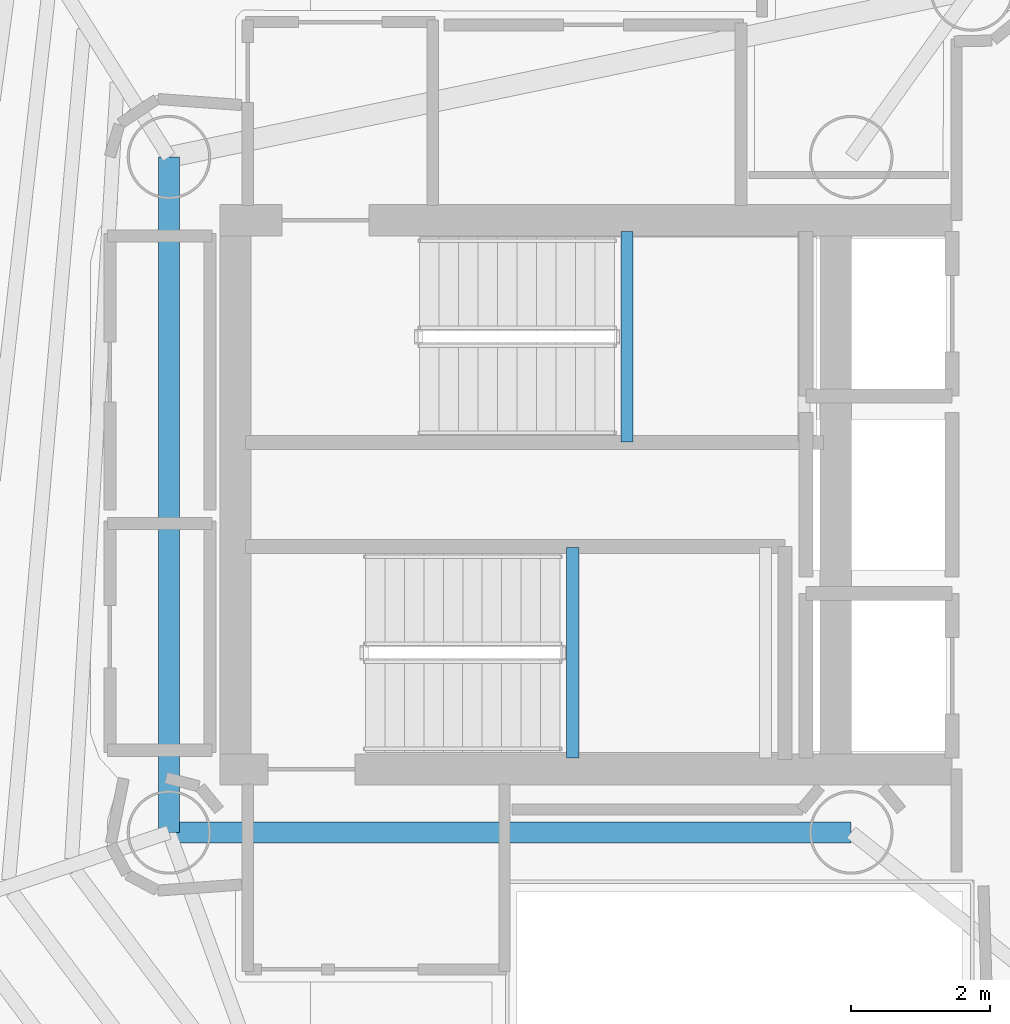
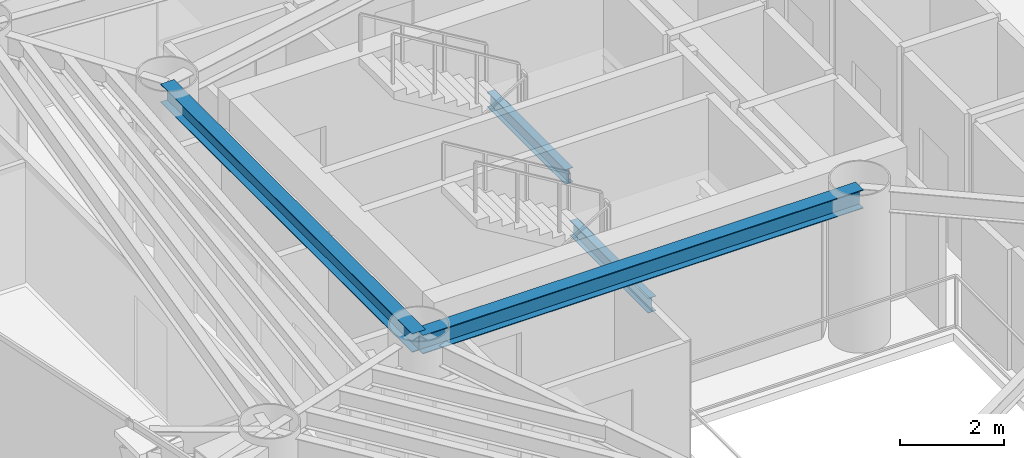
# One storey, part 9 of 22: 4 beams.
"""IFC4 building model written with IfcOpenShell, lengths in metres."""

from ifc_helpers import new_model, si_unit, direction, frame, origin, origin_2d, place, context, subcontext, project, spatial, i_section, extrude, material, material_profile, profile_set, type_object, element, save


model = new_model("IFC4")

# Units and contexts
model_context = context("Model", 3, precision=1e-05, world=origin(), true_north=direction((0.0, 1.0)))
body_context = subcontext(model_context, "Body", "Model", "MODEL_VIEW")
ifc_project = project(units=[si_unit("LENGTHUNIT", "METRE"), si_unit("AREAUNIT", "SQUARE_METRE"), si_unit("VOLUMEUNIT", "CUBIC_METRE"), si_unit("PLANEANGLEUNIT", "RADIAN"), si_unit("MASSUNIT", "GRAM", prefix="KILO")], contexts=[model_context])

# Site, building, storey
site_placement = place(None, origin())
site = spatial("IfcSite", under=ifc_project, at=site_placement, CompositionType="ELEMENT")
building_placement = place(site_placement, origin())
building = spatial("IfcBuilding", under=site, at=building_placement, Name="Qianvela Tower", CompositionType="ELEMENT")
storey_placement = place(building_placement, frame((0.0, 0.0, 204.0)))
storey = spatial("IfcBuildingStorey", under=building, at=storey_placement, Name="L52", CompositionType="ELEMENT", Elevation=204.0)

# Beams
ifc_material_1 = material(Name="Steel Q355B", Category="steel")
ifc_material_profile_1 = material_profile(ifc_material_1, i_section(OverallWidth=0.300048828125, OverallDepth=0.43994140625, WebThickness=0.010986328125, FlangeThickness=0.01806640625, at=origin_2d()), Name="HM440x300x11x18")
ifc_profile_set_1 = profile_set([ifc_material_profile_1], Name="Steel Q355B")
beam_type_1 = type_object("IfcBeamType", Name="BM-HM440-COLL", PredefinedType="BEAM", material=ifc_profile_set_1)
beam_1_placement = place(storey_placement, frame((28.60009765625, 23.85009765625, 3.298095703125), z_axis=(1.0, 0.0, 0.0), x_axis=(0.0, 1.0, 0.0)))
element("IfcBeam", 1, at=beam_1_placement, inside=storey, type_object=beam_type_1, Name="L52 Core Ring Collector Girder CC1", PredefinedType="BEAM", context=body_context, shape_type="SweptSolid", body=[
    extrude(i_section(OverallWidth=0.300048828125, OverallDepth=0.43994140625, WebThickness=0.010986328125, FlangeThickness=0.01806640625, at=origin_2d()), origin(), (0.0, 0.0, 1.0), 9.7998046875),
])
beam_2_placement = place(storey_placement, frame((28.60009765625, 33.550048828125, 3.298095703125), z_axis=(0.0, -1.0, 0.0), x_axis=(1.0, 0.0, 0.0)))
element("IfcBeam", 2, at=beam_2_placement, inside=storey, type_object=beam_type_1, Name="L52 Core Ring Collector Girder CC2", PredefinedType="BEAM", context=body_context, shape_type="SweptSolid", body=[
    extrude(i_section(OverallWidth=0.300048828125, OverallDepth=0.43994140625, WebThickness=0.010986328125, FlangeThickness=0.01806640625, at=origin_2d()), origin(), (0.0, 0.0, 1.0), 9.699951171875),
])
ifc_material_2 = material(Name="Steel Q355B", Category="steel")
ifc_material_profile_2 = material_profile(ifc_material_2, i_section(OverallWidth=0.175048828125, OverallDepth=0.35009765625, WebThickness=0.007080078125, FlangeThickness=0.010986328125, at=origin_2d()), Name="HN350x175x7x11")
ifc_profile_set_2 = profile_set([ifc_material_profile_2], Name="Steel Q355B")
beam_type_2 = type_object("IfcBeamType", Name="BM-HN350-JOIST", PredefinedType="JOIST", material=ifc_profile_set_2)
for number, where, z_axis, x_axis, name in (
    (3, (35.179931640625, 29.4599609375, 1.47509765625), (0.0, 1.0, 0.0), (-1.0, 0.0, 0.0), "L52 Stair ST-1 Landing Support Beam 1.1"),
    (4, (34.39990234375, 24.919921875, 1.47509765625), (0.0, 1.0, 0.0), (-1.0, 0.0, 0.0), "L52 Stair ST-2 Landing Support Beam 1.1"),
):
    element("IfcBeam", number, at=place(storey_placement, frame(where, z_axis=z_axis, x_axis=x_axis)), inside=storey, type_object=beam_type_2, Name=name, PredefinedType="JOIST", context=body_context, shape_type="SweptSolid", body=[
        extrude(i_section(OverallWidth=0.175048828125, OverallDepth=0.35009765625, WebThickness=0.007080078125, FlangeThickness=0.010986328125, at=origin_2d()), origin(), (0.0, 0.0, 1.0), 3.02001953125),
    ])

save(model, "model.ifc")
